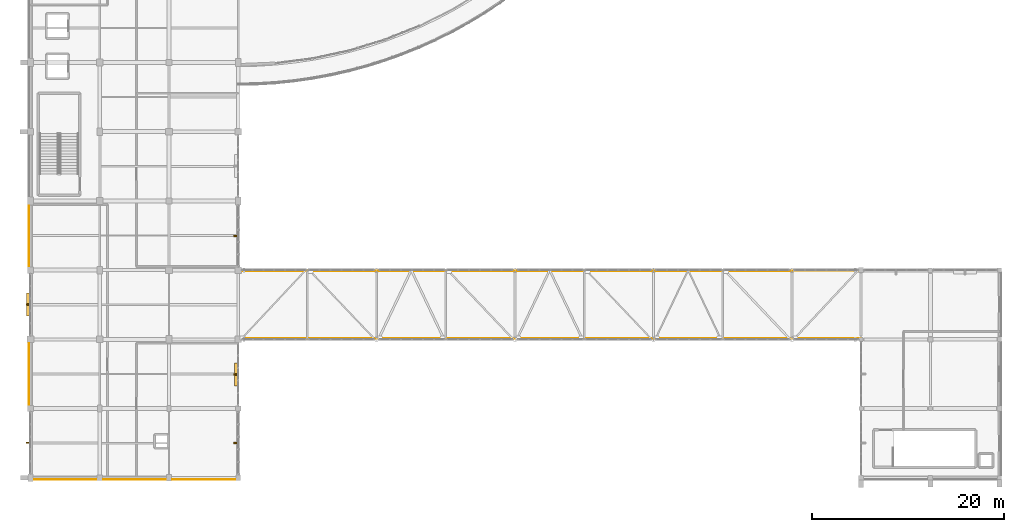
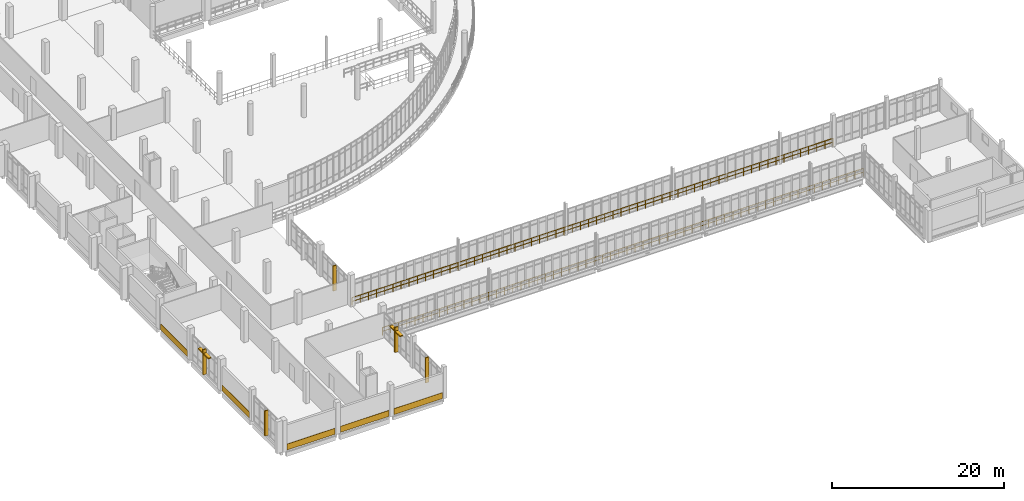
# One storey, part 109 of 116: 7 shading devices, 5 coverings, 2 railings.
"""IFC4 building model written with IfcOpenShell, lengths in metres."""

from ifc_helpers import new_model, si_unit, direction, frame, origin, origin_2d, place, context, subcontext, project, spatial, rectangle, circle, extrude, material, layer, layer_set, type_object, element, save


model = new_model("IFC4")

# Units and contexts
model_context = context("Model", 3, precision=1e-05, world=origin(), true_north=direction((0.0, 1.0)))
body_context = subcontext(model_context, "Body", "Model", "MODEL_VIEW")
ifc_project = project(units=[si_unit("LENGTHUNIT", "METRE"), si_unit("AREAUNIT", "SQUARE_METRE"), si_unit("VOLUMEUNIT", "CUBIC_METRE"), si_unit("PLANEANGLEUNIT", "RADIAN"), si_unit("MASSUNIT", "GRAM", prefix="KILO")], contexts=[model_context])

# Site, building, storey
site_placement = place(None, origin())
site = spatial("IfcSite", under=ifc_project, at=site_placement, CompositionType="ELEMENT")
building_placement = place(site_placement, origin())
building = spatial("IfcBuilding", under=site, at=building_placement, Name="Kalluvel Institute of Natural Sciences", CompositionType="ELEMENT")
storey_placement = place(building_placement, frame((0.0, 0.0, 14.39990234375)))
storey = spatial("IfcBuildingStorey", under=building, at=storey_placement, Name="L03", CompositionType="ELEMENT", Elevation=14.39990234375)

# Coverings
ifc_material_1 = material(Name="Sadarahalli Grey Granite Ashlar Concrete M40", Category="masonry")
ifc_layer = layer(ifc_material_1, 0.044921875)
ifc_layer_set = layer_set([ifc_layer], Name="Sadarahalli Grey Granite Ashlar Concrete M40")
covering_type = type_object("IfcCoveringType", Name="COV-CLAD-STONE", PredefinedType="CLADDING", material=ifc_layer_set)
covering_1_placement = place(storey_placement, frame((13.830078125, 24.77490234375, 0.025146484375), z_axis=(0.0, 0.0, 1.0), x_axis=(0.0, 1.0, 0.0)))
element("IfcCovering", 1, at=covering_1_placement, inside=storey, type_object=covering_type, Name="L03 Sadarahalli granite plinth spandrel cladding 160", PredefinedType="CLADDING", context=body_context, shape_type="SweptSolid", body=[
    extrude(rectangle(XDim=6.389892578125, YDim=0.044921875, at=origin_2d()), origin(), (0.0, 0.0, 1.0), 0.85009765625),
])
covering_2_placement = place(storey_placement, frame((13.830078125, 39.16259765625, 0.025146484375), z_axis=(0.0, 0.0, 1.0), x_axis=(0.0, 1.0, 0.0)))
element("IfcCovering", 2, at=covering_2_placement, inside=storey, type_object=covering_type, Name="L03 Sadarahalli granite plinth spandrel cladding 161", PredefinedType="CLADDING", context=body_context, shape_type="SweptSolid", body=[
    extrude(rectangle(XDim=6.31494140625, YDim=0.044921875, at=origin_2d()), origin(), (0.0, 0.0, 1.0), 0.85009765625),
])
covering_3_placement = place(storey_placement, frame((17.58740234375, 13.830078125, 0.025146484375), z_axis=(0.0, 0.0, 1.0), x_axis=(1.0, 0.0, 0.0)))
element("IfcCovering", 3, at=covering_3_placement, inside=storey, type_object=covering_type, Name="L03 Sadarahalli granite plinth spandrel cladding 168", PredefinedType="CLADDING", context=body_context, shape_type="SweptSolid", body=[
    extrude(rectangle(XDim=6.465087890625, YDim=0.044921875, at=origin_2d()), origin(), (0.0, 0.0, 1.0), 0.85009765625),
])
covering_4_placement = place(storey_placement, frame((24.824951171875, 13.830078125, 0.025146484375), z_axis=(0.0, 0.0, 1.0), x_axis=(1.0, 0.0, 0.0)))
element("IfcCovering", 4, at=covering_4_placement, inside=storey, type_object=covering_type, Name="L03 Sadarahalli granite plinth spandrel cladding 169", PredefinedType="CLADDING", context=body_context, shape_type="SweptSolid", body=[
    extrude(rectangle(XDim=6.489990234375, YDim=0.044921875, at=origin_2d()), origin(), (0.0, 0.0, 1.0), 0.85009765625),
])
covering_5_placement = place(storey_placement, frame((32.012451171875, 13.830078125, 0.025146484375), z_axis=(0.0, 0.0, 1.0), x_axis=(1.0, 0.0, 0.0)))
element("IfcCovering", 5, at=covering_5_placement, inside=storey, type_object=covering_type, Name="L03 Sadarahalli granite plinth spandrel cladding 170", PredefinedType="CLADDING", context=body_context, shape_type="SweptSolid", body=[
    extrude(rectangle(XDim=6.56494140625, YDim=0.044921875, at=origin_2d()), origin(), (0.0, 0.0, 1.0), 0.85009765625),
])

# Railings
ifc_material_2 = material(Name="Galvanized Fire-Rated Steel", Category="steel")
railing_type = type_object("IfcRailingType", Name="RL-GD-ATRIUM", PredefinedType="BALUSTRADE", material=ifc_material_2)
railing_1_placement = place(storey_placement, frame((35.64990234375, 28.47998046875, 0.0)))
element("IfcRailing", 6, at=railing_1_placement, inside=storey, type_object=railing_type, Name="L03 Glazed Truss Link Bridge S safety balustrade", PredefinedType="BALUSTRADE", context=body_context, shape_type="SweptSolid", body=[
    extrude(circle(Radius=0.02392578125, at=origin_2d()), frame((0.0, 0.0, 1.09619140625), z_axis=(1.0, 0.0, 0.0), x_axis=(0.0, 1.0, 0.0)), (0.0, 0.0, 1.0), 64.7001953125),
    extrude(circle(Radius=0.02392578125, at=origin_2d()), frame((0.0, 0.0, 0.56005859375), z_axis=(1.0, 0.0, 0.0), x_axis=(0.0, 1.0, 0.0)), (0.0, 0.0, 1.0), 64.7001953125),
    extrude(circle(Radius=0.02099609375, at=origin_2d()), origin(), (0.0, 0.0, 1.0), 1.072021484375),
    extrude(circle(Radius=0.02099609375, at=origin_2d()), frame((1.0966796875, 0.0, 0.0)), (0.0, 0.0, 1.0), 1.072021484375),
    extrude(circle(Radius=0.02099609375, at=origin_2d()), frame((2.193115234375, 0.0, 0.0)), (0.0, 0.0, 1.0), 1.072021484375),
    extrude(circle(Radius=0.02099609375, at=origin_2d()), frame((3.289794921875, 0.0, 0.0)), (0.0, 0.0, 1.0), 1.072021484375),
    extrude(circle(Radius=0.02099609375, at=origin_2d()), frame((4.386474609375, 0.0, 0.0)), (0.0, 0.0, 1.0), 1.072021484375),
    extrude(circle(Radius=0.02099609375, at=origin_2d()), frame((5.483154296875, 0.0, 0.0)), (0.0, 0.0, 1.0), 1.072021484375),
    extrude(circle(Radius=0.02099609375, at=origin_2d()), frame((6.57958984375, 0.0, 0.0)), (0.0, 0.0, 1.0), 1.072021484375),
    extrude(circle(Radius=0.02099609375, at=origin_2d()), frame((7.67626953125, 0.0, 0.0)), (0.0, 0.0, 1.0), 1.072021484375),
    extrude(circle(Radius=0.02099609375, at=origin_2d()), frame((8.77294921875, 0.0, 0.0)), (0.0, 0.0, 1.0), 1.072021484375),
    extrude(circle(Radius=0.02099609375, at=origin_2d()), frame((9.86962890625, 0.0, 0.0)), (0.0, 0.0, 1.0), 1.072021484375),
    extrude(circle(Radius=0.02099609375, at=origin_2d()), frame((10.966064453125, 0.0, 0.0)), (0.0, 0.0, 1.0), 1.072021484375),
    extrude(circle(Radius=0.02099609375, at=origin_2d()), frame((12.062744140625, 0.0, 0.0)), (0.0, 0.0, 1.0), 1.072021484375),
    extrude(circle(Radius=0.02099609375, at=origin_2d()), frame((13.159423828125, 0.0, 0.0)), (0.0, 0.0, 1.0), 1.072021484375),
    extrude(circle(Radius=0.02099609375, at=origin_2d()), frame((14.255859375, 0.0, 0.0)), (0.0, 0.0, 1.0), 1.072021484375),
    extrude(circle(Radius=0.02099609375, at=origin_2d()), frame((15.3525390625, 0.0, 0.0)), (0.0, 0.0, 1.0), 1.072021484375),
    extrude(circle(Radius=0.02099609375, at=origin_2d()), frame((16.44921875, 0.0, 0.0)), (0.0, 0.0, 1.0), 1.072021484375),
    extrude(circle(Radius=0.02099609375, at=origin_2d()), frame((17.5458984375, 0.0, 0.0)), (0.0, 0.0, 1.0), 1.072021484375),
    extrude(circle(Radius=0.02099609375, at=origin_2d()), frame((18.642333984375, 0.0, 0.0)), (0.0, 0.0, 1.0), 1.072021484375),
    extrude(circle(Radius=0.02099609375, at=origin_2d()), frame((19.739013671875, 0.0, 0.0)), (0.0, 0.0, 1.0), 1.072021484375),
    extrude(circle(Radius=0.02099609375, at=origin_2d()), frame((20.835693359375, 0.0, 0.0)), (0.0, 0.0, 1.0), 1.072021484375),
    extrude(circle(Radius=0.02099609375, at=origin_2d()), frame((21.932373046875, 0.0, 0.0)), (0.0, 0.0, 1.0), 1.072021484375),
    extrude(circle(Radius=0.02099609375, at=origin_2d()), frame((23.02880859375, 0.0, 0.0)), (0.0, 0.0, 1.0), 1.072021484375),
    extrude(circle(Radius=0.02099609375, at=origin_2d()), frame((24.12548828125, 0.0, 0.0)), (0.0, 0.0, 1.0), 1.072021484375),
    extrude(circle(Radius=0.02099609375, at=origin_2d()), frame((25.22216796875, 0.0, 0.0)), (0.0, 0.0, 1.0), 1.072021484375),
    extrude(circle(Radius=0.02099609375, at=origin_2d()), frame((26.318603515625, 0.0, 0.0)), (0.0, 0.0, 1.0), 1.072021484375),
    extrude(circle(Radius=0.02099609375, at=origin_2d()), frame((27.415283203125, 0.0, 0.0)), (0.0, 0.0, 1.0), 1.072021484375),
    extrude(circle(Radius=0.02099609375, at=origin_2d()), frame((28.511962890625, 0.0, 0.0)), (0.0, 0.0, 1.0), 1.072021484375),
    extrude(circle(Radius=0.02099609375, at=origin_2d()), frame((29.608642578125, 0.0, 0.0)), (0.0, 0.0, 1.0), 1.072021484375),
    extrude(circle(Radius=0.02099609375, at=origin_2d()), frame((30.705078125, 0.0, 0.0)), (0.0, 0.0, 1.0), 1.072021484375),
    extrude(circle(Radius=0.02099609375, at=origin_2d()), frame((31.8017578125, 0.0, 0.0)), (0.0, 0.0, 1.0), 1.072021484375),
    extrude(circle(Radius=0.02099609375, at=origin_2d()), frame((32.8984375, 0.0, 0.0)), (0.0, 0.0, 1.0), 1.072021484375),
    extrude(circle(Radius=0.02099609375, at=origin_2d()), frame((33.9951171875, 0.0, 0.0)), (0.0, 0.0, 1.0), 1.072021484375),
    extrude(circle(Radius=0.02099609375, at=origin_2d()), frame((35.091552734375, 0.0, 0.0)), (0.0, 0.0, 1.0), 1.072021484375),
    extrude(circle(Radius=0.02099609375, at=origin_2d()), frame((36.188232421875, 0.0, 0.0)), (0.0, 0.0, 1.0), 1.072021484375),
    extrude(circle(Radius=0.02099609375, at=origin_2d()), frame((37.284912109375, 0.0, 0.0)), (0.0, 0.0, 1.0), 1.072021484375),
    extrude(circle(Radius=0.02099609375, at=origin_2d()), frame((38.381591796875, 0.0, 0.0)), (0.0, 0.0, 1.0), 1.072021484375),
    extrude(circle(Radius=0.02099609375, at=origin_2d()), frame((39.47802734375, 0.0, 0.0)), (0.0, 0.0, 1.0), 1.072021484375),
    extrude(circle(Radius=0.02099609375, at=origin_2d()), frame((40.57470703125, 0.0, 0.0)), (0.0, 0.0, 1.0), 1.072021484375),
    extrude(circle(Radius=0.02099609375, at=origin_2d()), frame((41.67138671875, 0.0, 0.0)), (0.0, 0.0, 1.0), 1.072021484375),
    extrude(circle(Radius=0.02099609375, at=origin_2d()), frame((42.767822265625, 0.0, 0.0)), (0.0, 0.0, 1.0), 1.072021484375),
    extrude(circle(Radius=0.02099609375, at=origin_2d()), frame((43.864501953125, 0.0, 0.0)), (0.0, 0.0, 1.0), 1.072021484375),
    extrude(circle(Radius=0.02099609375, at=origin_2d()), frame((44.961181640625, 0.0, 0.0)), (0.0, 0.0, 1.0), 1.072021484375),
    extrude(circle(Radius=0.02099609375, at=origin_2d()), frame((46.057861328125, 0.0, 0.0)), (0.0, 0.0, 1.0), 1.072021484375),
    extrude(circle(Radius=0.02099609375, at=origin_2d()), frame((47.154296875, 0.0, 0.0)), (0.0, 0.0, 1.0), 1.072021484375),
    extrude(circle(Radius=0.02099609375, at=origin_2d()), frame((48.2509765625, 0.0, 0.0)), (0.0, 0.0, 1.0), 1.072021484375),
    extrude(circle(Radius=0.02099609375, at=origin_2d()), frame((49.34765625, 0.0, 0.0)), (0.0, 0.0, 1.0), 1.072021484375),
    extrude(circle(Radius=0.02099609375, at=origin_2d()), frame((50.4443359375, 0.0, 0.0)), (0.0, 0.0, 1.0), 1.072021484375),
    extrude(circle(Radius=0.02099609375, at=origin_2d()), frame((51.540771484375, 0.0, 0.0)), (0.0, 0.0, 1.0), 1.072021484375),
    extrude(circle(Radius=0.02099609375, at=origin_2d()), frame((52.637451171875, 0.0, 0.0)), (0.0, 0.0, 1.0), 1.072021484375),
    extrude(circle(Radius=0.02099609375, at=origin_2d()), frame((53.734130859375, 0.0, 0.0)), (0.0, 0.0, 1.0), 1.072021484375),
    extrude(circle(Radius=0.02099609375, at=origin_2d()), frame((54.83056640625, 0.0, 0.0)), (0.0, 0.0, 1.0), 1.072021484375),
    extrude(circle(Radius=0.02099609375, at=origin_2d()), frame((55.92724609375, 0.0, 0.0)), (0.0, 0.0, 1.0), 1.072021484375),
    extrude(circle(Radius=0.02099609375, at=origin_2d()), frame((57.02392578125, 0.0, 0.0)), (0.0, 0.0, 1.0), 1.072021484375),
    extrude(circle(Radius=0.02099609375, at=origin_2d()), frame((58.12060546875, 0.0, 0.0)), (0.0, 0.0, 1.0), 1.072021484375),
    extrude(circle(Radius=0.02099609375, at=origin_2d()), frame((59.217041015625, 0.0, 0.0)), (0.0, 0.0, 1.0), 1.072021484375),
    extrude(circle(Radius=0.02099609375, at=origin_2d()), frame((60.313720703125, 0.0, 0.0)), (0.0, 0.0, 1.0), 1.072021484375),
    extrude(circle(Radius=0.02099609375, at=origin_2d()), frame((61.410400390625, 0.0, 0.0)), (0.0, 0.0, 1.0), 1.072021484375),
    extrude(circle(Radius=0.02099609375, at=origin_2d()), frame((62.507080078125, 0.0, 0.0)), (0.0, 0.0, 1.0), 1.072021484375),
    extrude(circle(Radius=0.02099609375, at=origin_2d()), frame((63.603515625, 0.0, 0.0)), (0.0, 0.0, 1.0), 1.072021484375),
    extrude(circle(Radius=0.02099609375, at=origin_2d()), frame((64.7001953125, 0.0, 0.0)), (0.0, 0.0, 1.0), 1.072021484375),
])
railing_2_placement = place(storey_placement, frame((35.64990234375, 35.52001953125, 0.0)))
element("IfcRailing", 7, at=railing_2_placement, inside=storey, type_object=railing_type, Name="L03 Glazed Truss Link Bridge N safety balustrade", PredefinedType="BALUSTRADE", context=body_context, shape_type="SweptSolid", body=[
    extrude(circle(Radius=0.02392578125, at=origin_2d()), frame((0.0, 0.0, 1.09619140625), z_axis=(1.0, 0.0, 0.0), x_axis=(0.0, 1.0, 0.0)), (0.0, 0.0, 1.0), 64.7001953125),
    extrude(circle(Radius=0.02392578125, at=origin_2d()), frame((0.0, 0.0, 0.56005859375), z_axis=(1.0, 0.0, 0.0), x_axis=(0.0, 1.0, 0.0)), (0.0, 0.0, 1.0), 64.7001953125),
    extrude(circle(Radius=0.02099609375, at=origin_2d()), origin(), (0.0, 0.0, 1.0), 1.072021484375),
    extrude(circle(Radius=0.02099609375, at=origin_2d()), frame((1.0966796875, 0.0, 0.0)), (0.0, 0.0, 1.0), 1.072021484375),
    extrude(circle(Radius=0.02099609375, at=origin_2d()), frame((2.193115234375, 0.0, 0.0)), (0.0, 0.0, 1.0), 1.072021484375),
    extrude(circle(Radius=0.02099609375, at=origin_2d()), frame((3.289794921875, 0.0, 0.0)), (0.0, 0.0, 1.0), 1.072021484375),
    extrude(circle(Radius=0.02099609375, at=origin_2d()), frame((4.386474609375, 0.0, 0.0)), (0.0, 0.0, 1.0), 1.072021484375),
    extrude(circle(Radius=0.02099609375, at=origin_2d()), frame((5.483154296875, 0.0, 0.0)), (0.0, 0.0, 1.0), 1.072021484375),
    extrude(circle(Radius=0.02099609375, at=origin_2d()), frame((6.57958984375, 0.0, 0.0)), (0.0, 0.0, 1.0), 1.072021484375),
    extrude(circle(Radius=0.02099609375, at=origin_2d()), frame((7.67626953125, 0.0, 0.0)), (0.0, 0.0, 1.0), 1.072021484375),
    extrude(circle(Radius=0.02099609375, at=origin_2d()), frame((8.77294921875, 0.0, 0.0)), (0.0, 0.0, 1.0), 1.072021484375),
    extrude(circle(Radius=0.02099609375, at=origin_2d()), frame((9.86962890625, 0.0, 0.0)), (0.0, 0.0, 1.0), 1.072021484375),
    extrude(circle(Radius=0.02099609375, at=origin_2d()), frame((10.966064453125, 0.0, 0.0)), (0.0, 0.0, 1.0), 1.072021484375),
    extrude(circle(Radius=0.02099609375, at=origin_2d()), frame((12.062744140625, 0.0, 0.0)), (0.0, 0.0, 1.0), 1.072021484375),
    extrude(circle(Radius=0.02099609375, at=origin_2d()), frame((13.159423828125, 0.0, 0.0)), (0.0, 0.0, 1.0), 1.072021484375),
    extrude(circle(Radius=0.02099609375, at=origin_2d()), frame((14.255859375, 0.0, 0.0)), (0.0, 0.0, 1.0), 1.072021484375),
    extrude(circle(Radius=0.02099609375, at=origin_2d()), frame((15.3525390625, 0.0, 0.0)), (0.0, 0.0, 1.0), 1.072021484375),
    extrude(circle(Radius=0.02099609375, at=origin_2d()), frame((16.44921875, 0.0, 0.0)), (0.0, 0.0, 1.0), 1.072021484375),
    extrude(circle(Radius=0.02099609375, at=origin_2d()), frame((17.5458984375, 0.0, 0.0)), (0.0, 0.0, 1.0), 1.072021484375),
    extrude(circle(Radius=0.02099609375, at=origin_2d()), frame((18.642333984375, 0.0, 0.0)), (0.0, 0.0, 1.0), 1.072021484375),
    extrude(circle(Radius=0.02099609375, at=origin_2d()), frame((19.739013671875, 0.0, 0.0)), (0.0, 0.0, 1.0), 1.072021484375),
    extrude(circle(Radius=0.02099609375, at=origin_2d()), frame((20.835693359375, 0.0, 0.0)), (0.0, 0.0, 1.0), 1.072021484375),
    extrude(circle(Radius=0.02099609375, at=origin_2d()), frame((21.932373046875, 0.0, 0.0)), (0.0, 0.0, 1.0), 1.072021484375),
    extrude(circle(Radius=0.02099609375, at=origin_2d()), frame((23.02880859375, 0.0, 0.0)), (0.0, 0.0, 1.0), 1.072021484375),
    extrude(circle(Radius=0.02099609375, at=origin_2d()), frame((24.12548828125, 0.0, 0.0)), (0.0, 0.0, 1.0), 1.072021484375),
    extrude(circle(Radius=0.02099609375, at=origin_2d()), frame((25.22216796875, 0.0, 0.0)), (0.0, 0.0, 1.0), 1.072021484375),
    extrude(circle(Radius=0.02099609375, at=origin_2d()), frame((26.318603515625, 0.0, 0.0)), (0.0, 0.0, 1.0), 1.072021484375),
    extrude(circle(Radius=0.02099609375, at=origin_2d()), frame((27.415283203125, 0.0, 0.0)), (0.0, 0.0, 1.0), 1.072021484375),
    extrude(circle(Radius=0.02099609375, at=origin_2d()), frame((28.511962890625, 0.0, 0.0)), (0.0, 0.0, 1.0), 1.072021484375),
    extrude(circle(Radius=0.02099609375, at=origin_2d()), frame((29.608642578125, 0.0, 0.0)), (0.0, 0.0, 1.0), 1.072021484375),
    extrude(circle(Radius=0.02099609375, at=origin_2d()), frame((30.705078125, 0.0, 0.0)), (0.0, 0.0, 1.0), 1.072021484375),
    extrude(circle(Radius=0.02099609375, at=origin_2d()), frame((31.8017578125, 0.0, 0.0)), (0.0, 0.0, 1.0), 1.072021484375),
    extrude(circle(Radius=0.02099609375, at=origin_2d()), frame((32.8984375, 0.0, 0.0)), (0.0, 0.0, 1.0), 1.072021484375),
    extrude(circle(Radius=0.02099609375, at=origin_2d()), frame((33.9951171875, 0.0, 0.0)), (0.0, 0.0, 1.0), 1.072021484375),
    extrude(circle(Radius=0.02099609375, at=origin_2d()), frame((35.091552734375, 0.0, 0.0)), (0.0, 0.0, 1.0), 1.072021484375),
    extrude(circle(Radius=0.02099609375, at=origin_2d()), frame((36.188232421875, 0.0, 0.0)), (0.0, 0.0, 1.0), 1.072021484375),
    extrude(circle(Radius=0.02099609375, at=origin_2d()), frame((37.284912109375, 0.0, 0.0)), (0.0, 0.0, 1.0), 1.072021484375),
    extrude(circle(Radius=0.02099609375, at=origin_2d()), frame((38.381591796875, 0.0, 0.0)), (0.0, 0.0, 1.0), 1.072021484375),
    extrude(circle(Radius=0.02099609375, at=origin_2d()), frame((39.47802734375, 0.0, 0.0)), (0.0, 0.0, 1.0), 1.072021484375),
    extrude(circle(Radius=0.02099609375, at=origin_2d()), frame((40.57470703125, 0.0, 0.0)), (0.0, 0.0, 1.0), 1.072021484375),
    extrude(circle(Radius=0.02099609375, at=origin_2d()), frame((41.67138671875, 0.0, 0.0)), (0.0, 0.0, 1.0), 1.072021484375),
    extrude(circle(Radius=0.02099609375, at=origin_2d()), frame((42.767822265625, 0.0, 0.0)), (0.0, 0.0, 1.0), 1.072021484375),
    extrude(circle(Radius=0.02099609375, at=origin_2d()), frame((43.864501953125, 0.0, 0.0)), (0.0, 0.0, 1.0), 1.072021484375),
    extrude(circle(Radius=0.02099609375, at=origin_2d()), frame((44.961181640625, 0.0, 0.0)), (0.0, 0.0, 1.0), 1.072021484375),
    extrude(circle(Radius=0.02099609375, at=origin_2d()), frame((46.057861328125, 0.0, 0.0)), (0.0, 0.0, 1.0), 1.072021484375),
    extrude(circle(Radius=0.02099609375, at=origin_2d()), frame((47.154296875, 0.0, 0.0)), (0.0, 0.0, 1.0), 1.072021484375),
    extrude(circle(Radius=0.02099609375, at=origin_2d()), frame((48.2509765625, 0.0, 0.0)), (0.0, 0.0, 1.0), 1.072021484375),
    extrude(circle(Radius=0.02099609375, at=origin_2d()), frame((49.34765625, 0.0, 0.0)), (0.0, 0.0, 1.0), 1.072021484375),
    extrude(circle(Radius=0.02099609375, at=origin_2d()), frame((50.4443359375, 0.0, 0.0)), (0.0, 0.0, 1.0), 1.072021484375),
    extrude(circle(Radius=0.02099609375, at=origin_2d()), frame((51.540771484375, 0.0, 0.0)), (0.0, 0.0, 1.0), 1.072021484375),
    extrude(circle(Radius=0.02099609375, at=origin_2d()), frame((52.637451171875, 0.0, 0.0)), (0.0, 0.0, 1.0), 1.072021484375),
    extrude(circle(Radius=0.02099609375, at=origin_2d()), frame((53.734130859375, 0.0, 0.0)), (0.0, 0.0, 1.0), 1.072021484375),
    extrude(circle(Radius=0.02099609375, at=origin_2d()), frame((54.83056640625, 0.0, 0.0)), (0.0, 0.0, 1.0), 1.072021484375),
    extrude(circle(Radius=0.02099609375, at=origin_2d()), frame((55.92724609375, 0.0, 0.0)), (0.0, 0.0, 1.0), 1.072021484375),
    extrude(circle(Radius=0.02099609375, at=origin_2d()), frame((57.02392578125, 0.0, 0.0)), (0.0, 0.0, 1.0), 1.072021484375),
    extrude(circle(Radius=0.02099609375, at=origin_2d()), frame((58.12060546875, 0.0, 0.0)), (0.0, 0.0, 1.0), 1.072021484375),
    extrude(circle(Radius=0.02099609375, at=origin_2d()), frame((59.217041015625, 0.0, 0.0)), (0.0, 0.0, 1.0), 1.072021484375),
    extrude(circle(Radius=0.02099609375, at=origin_2d()), frame((60.313720703125, 0.0, 0.0)), (0.0, 0.0, 1.0), 1.072021484375),
    extrude(circle(Radius=0.02099609375, at=origin_2d()), frame((61.410400390625, 0.0, 0.0)), (0.0, 0.0, 1.0), 1.072021484375),
    extrude(circle(Radius=0.02099609375, at=origin_2d()), frame((62.507080078125, 0.0, 0.0)), (0.0, 0.0, 1.0), 1.072021484375),
    extrude(circle(Radius=0.02099609375, at=origin_2d()), frame((63.603515625, 0.0, 0.0)), (0.0, 0.0, 1.0), 1.072021484375),
    extrude(circle(Radius=0.02099609375, at=origin_2d()), frame((64.7001953125, 0.0, 0.0)), (0.0, 0.0, 1.0), 1.072021484375),
])

# Shading devices
shading_device_type_1 = type_object("IfcShadingDeviceType", Name="SHD-FIN-STONE", PredefinedType="USERDEFINED", material=ifc_material_1)
for number, where, z_axis, x_axis, name in (
    (8, (13.780029296875, 17.637451171875, 0.0), (0.0, 0.0, 1.0), (0.0, 1.0, 0.0), "L03 monsoon lancet shading fin 152"),
    (9, (13.780029296875, 32.012451171875, 0.0), (0.0, 0.0, 1.0), (0.0, 1.0, 0.0), "L03 monsoon lancet shading fin 153"),
    (10, (35.3798828125, 17.612548828125, 0.0), (0.0, 0.0, 1.0), (0.0, 1.0, 0.0), "L03 monsoon lancet shading fin 158"),
    (11, (35.3798828125, 24.762451171875, 0.0), (0.0, 0.0, 1.0), (0.0, 1.0, 0.0), "L03 monsoon lancet shading fin 159"),
    (12, (35.3798828125, 39.16259765625, 0.0), (0.0, 0.0, 1.0), (0.0, 1.0, 0.0), "L03 monsoon lancet shading fin 161"),
):
    element("IfcShadingDevice", number, at=place(storey_placement, frame(where, z_axis=z_axis, x_axis=x_axis)), inside=storey, type_object=shading_device_type_1, Name=name, ObjectType="MONSOON FIN", PredefinedType="USERDEFINED", context=body_context, shape_type="SweptSolid", body=[
        extrude(rectangle(XDim=0.139892578125, YDim=0.47998046875, at=origin_2d()), origin(), (0.0, 0.0, 1.0), 3.570068359375),
    ])
ifc_material_3 = material(Name="Aluminium AW-6063 T6", Category="aluminium")
shading_device_type_2 = type_object("IfcShadingDeviceType", Name="SHD-LOUV-ALU", PredefinedType="JALOUSIE", material=ifc_material_3)
for number, where, z_axis, x_axis, name in (
    (13, (13.800048828125, 32.012451171875, 2.89013671875), (0.0, 0.0, 1.0), (0.0, 1.0, 0.0), "L03 aluminium sun-shading louvre 154"),
    (14, (35.39990234375, 24.762451171875, 2.89013671875), (0.0, 0.0, 1.0), (0.0, 1.0, 0.0), "L03 aluminium sun-shading louvre 160"),
):
    element("IfcShadingDevice", number, at=place(storey_placement, frame(where, z_axis=z_axis, x_axis=x_axis)), inside=storey, type_object=shading_device_type_2, Name=name, PredefinedType="JALOUSIE", context=body_context, shape_type="SweptSolid", body=[
        extrude(rectangle(XDim=2.39990234375, YDim=0.419921875, at=origin_2d()), origin(), (0.0, 0.0, 1.0), 0.159912109375),
    ])

save(model, "model.ifc")
